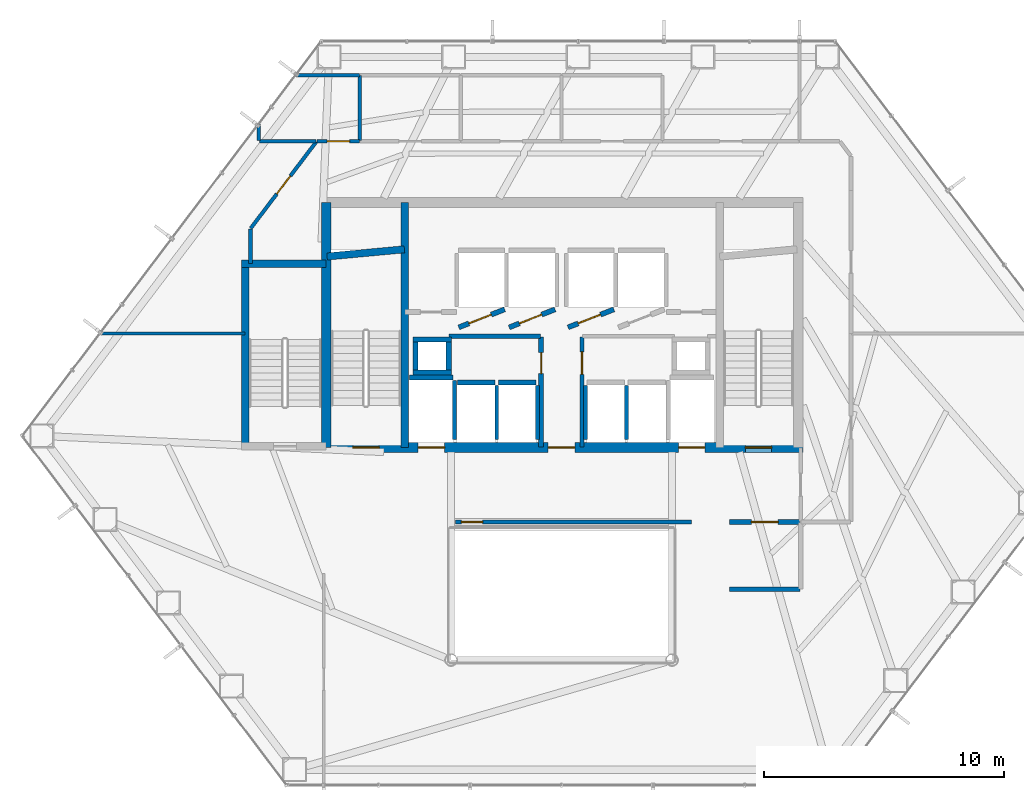
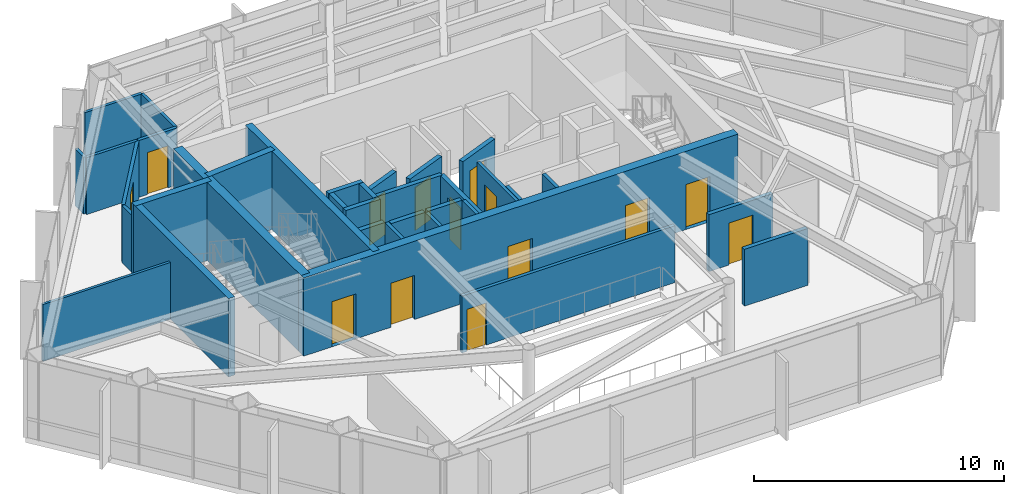
# One storey, part 23 of 26: 35 walls, 14 doors, 14 openings.
"""IFC4 building model written with IfcOpenShell, lengths in metres."""

from ifc_helpers import new_model, si_unit, direction, frame, frame_2d, origin, place, context, subcontext, project, spatial, rectangle, extrude, material, layer, layer_set, type_object, element, fill, save


model = new_model("IFC4")

# Units and contexts
model_context = context("Model", 3, precision=1e-05, world=origin(), true_north=direction((0.0, 1.0)))
body_context = subcontext(model_context, "Body", "Model", "MODEL_VIEW")
ifc_project = project(units=[si_unit("LENGTHUNIT", "METRE"), si_unit("AREAUNIT", "SQUARE_METRE"), si_unit("VOLUMEUNIT", "CUBIC_METRE"), si_unit("PLANEANGLEUNIT", "RADIAN"), si_unit("MASSUNIT", "GRAM", prefix="KILO")], contexts=[model_context])

# Site, building, storey
site_placement = place(None, origin())
site = spatial("IfcSite", under=ifc_project, at=site_placement, CompositionType="ELEMENT")
building_placement = place(site_placement, origin())
building = spatial("IfcBuilding", under=site, at=building_placement, Name="Zarrinselat Tower", CompositionType="ELEMENT")
storey_placement = place(building_placement, frame((0.0, 0.0, 31.6201171875)))
storey = spatial("IfcBuildingStorey", under=building, at=storey_placement, Name="L07", CompositionType="ELEMENT", Elevation=31.6201171875)

# Wall, opening, door
ifc_material_1 = material(Name="Concrete C40/50", Category="concrete")
ifc_layer_1 = layer(ifc_material_1, 0.18994140625)
ifc_layer_set_1 = layer_set([ifc_layer_1], Name="Concrete C40/50")
wall_type_1 = type_object("IfcWallType", Name="WAL-PART-EI120", PredefinedType="PARTITIONING", material=ifc_layer_set_1)
wall_1_placement = place(storey_placement, frame((45.385009765625, 30.14990234375, 0.0), z_axis=(0.0, 0.0, 1.0), x_axis=(1.0, 0.0, 0.0)))
wall_1 = element("IfcWall", 1, at=wall_1_placement, inside=storey, type_object=wall_type_1, Name="L07 Partition Wall 8", PredefinedType="PARTITIONING", context=body_context, shape_type="SweptSolid", body=[
    extrude(rectangle(XDim=2.945068359375, YDim=0.18994140625, at=frame_2d((1.47265625, 0.0))), origin(), (0.0, 0.0, 1.0), 2.77685546875),
])
opening_1_placement = place(wall_1_placement, frame((0.91259765625, 0.0, 0.0)))
opening_1 = element("IfcOpeningElement", 2, at=opening_1_placement, cuts=wall_1, Name="Opening ID-02", PredefinedType="OPENING", context=body_context, shape_type="SweptSolid", body=[
    extrude(rectangle(XDim=1.1201171875, YDim=2.050048828125, at=frame_2d((0.56005859375, 1.02490234375))), frame((0.0, 0.10498046875, 0.0), z_axis=(0.0, -1.0, 0.0), x_axis=(1.0, 0.0, 0.0)), (0.0, 0.0, 1.0), 0.2099609375),
])
ifc_material_2 = material(Name="Steel S355J2", Category="steel")
door_type_1 = type_object("IfcDoorType", Name="DR-INT-FD60-W", OperationType="NOTDEFINED", PredefinedType="DOOR", material=ifc_material_2)
door_1_placement = place(opening_1_placement, origin())
door_1 = element("IfcDoor", 3, at=door_1_placement, inside=storey, type_object=door_type_1, Name="L07 Interior Door P8", OperationType="SINGLE_SWING_LEFT", OverallHeight=2.050048828125, OverallWidth=1.1201171875, PredefinedType="DOOR", context=body_context, shape_type="SweptSolid", body=[
    extrude(rectangle(XDim=1.1201171875, YDim=2.050048828125, at=frame_2d((0.56005859375, 1.02490234375))), frame((0.0, 0.02490234375, 0.0), z_axis=(0.0, -1.0, 0.0), x_axis=(1.0, 0.0, 0.0)), (0.0, 0.0, 1.0), 0.050048828125),
])
fill(opening_1, door_1)

# Wall
wall_2_placement = place(storey_placement, frame((45.39990234375, 27.35009765625, 0.0), z_axis=(0.0, 0.0, 1.0), x_axis=(1.0, 0.0, 0.0)))
element("IfcWall", 4, at=wall_2_placement, inside=storey, type_object=wall_type_1, Name="L07 Partition Wall 11", PredefinedType="PARTITIONING", context=body_context, shape_type="SweptSolid", body=[
    extrude(rectangle(XDim=2.93017578125, YDim=0.18994140625, at=frame_2d((1.465087890625, 0.0))), origin(), (0.0, 0.0, 1.0), 2.77685546875),
])

# Wall, opening, door
ifc_material_3 = material(Name="Fire-Rated Gypsum Board Partition", Category="gypsum")
ifc_layer_2 = layer(ifc_material_3, 0.14990234375)
ifc_layer_set_2 = layer_set([ifc_layer_2], Name="Fire-Rated Gypsum Board Partition")
wall_type_2 = type_object("IfcWallType", Name="WAL-PART-EI60", PredefinedType="PARTITIONING", material=ifc_layer_set_2)
wall_3_placement = place(storey_placement, frame((39.25, 33.264892578125, 0.0), z_axis=(0.0, 0.0, 1.0), x_axis=(0.0, 1.0, 0.0)))
wall_3 = element("IfcWall", 5, at=wall_3_placement, inside=storey, type_object=wall_type_2, Name="L07 Partition Wall 7", PredefinedType="PARTITIONING", context=body_context, shape_type="SweptSolid", body=[
    extrude(rectangle(XDim=4.59521484375, YDim=0.14990234375, at=frame_2d((2.297607421875, 0.0))), origin(), (0.0, 0.0, 1.0), 2.77685546875),
])
opening_2_placement = place(wall_3_placement, frame((3.027587890625, 0.0, 0.0)))
opening_2 = element("IfcOpeningElement", 6, at=opening_2_placement, cuts=wall_3, Name="Opening ID-04", PredefinedType="OPENING", context=body_context, shape_type="SweptSolid", body=[
    extrude(rectangle(XDim=0.93994140625, YDim=2.050048828125, at=frame_2d((0.469970703125, 1.02490234375))), frame((0.0, 0.0849609375, 0.0), z_axis=(0.0, -1.0, 0.0), x_axis=(1.0, 0.0, 0.0)), (0.0, 0.0, 1.0), 0.169921875),
])
ifc_material_4 = material(Name="Fire-Rated Gypsum Board Partition")
door_type_2 = type_object("IfcDoorType", Name="DR-INT-FD30-ENT", OperationType="NOTDEFINED", PredefinedType="DOOR", material=ifc_material_4)
door_2_placement = place(opening_2_placement, origin())
door_2 = element("IfcDoor", 7, at=door_2_placement, inside=storey, type_object=door_type_2, Name="L07 Interior Door P7", OperationType="SINGLE_SWING_RIGHT", OverallHeight=2.050048828125, OverallWidth=0.93994140625, PredefinedType="DOOR", context=body_context, shape_type="SweptSolid", body=[
    extrude(rectangle(XDim=0.93994140625, YDim=2.050048828125, at=frame_2d((0.469970703125, 1.02490234375))), frame((0.0, 0.02490234375, 0.0), z_axis=(0.0, -1.0, 0.0), x_axis=(1.0, 0.0, 0.0)), (0.0, 0.0, 1.0), 0.050048828125),
])
fill(opening_2, door_2)

wall_4_placement = place(storey_placement, frame((33.985107421875, 30.14990234375, 0.0), z_axis=(0.0, 0.0, 1.0), x_axis=(1.0, 0.0, 0.0)))
wall_4 = element("IfcWall", 8, at=wall_4_placement, inside=storey, type_object=wall_type_2, Name="L07 Partition Wall 10", PredefinedType="PARTITIONING", context=body_context, shape_type="SweptSolid", body=[
    extrude(rectangle(XDim=9.829833984375, YDim=0.14990234375, at=frame_2d((4.9150390625, 0.0))), origin(), (0.0, 0.0, 1.0), 2.77685546875),
])
opening_3_placement = place(wall_4_placement, frame((0.25, 0.0, 0.0)))
opening_3 = element("IfcOpeningElement", 9, at=opening_3_placement, cuts=wall_4, Name="Opening ID-03", PredefinedType="OPENING", context=body_context, shape_type="SweptSolid", body=[
    extrude(rectangle(XDim=0.8798828125, YDim=2.050048828125, at=frame_2d((0.43994140625, 1.02490234375))), frame((0.0, 0.0849609375, 0.0), z_axis=(0.0, -1.0, 0.0), x_axis=(1.0, 0.0, 0.0)), (0.0, 0.0, 1.0), 0.169921875),
])
ifc_material_5 = material(Name="Steel S355J2", Category="steel")
door_type_3 = type_object("IfcDoorType", Name="DR-INT-FD60-S", OperationType="NOTDEFINED", PredefinedType="DOOR", material=ifc_material_5)
door_3_placement = place(opening_3_placement, origin())
door_3 = element("IfcDoor", 10, at=door_3_placement, inside=storey, type_object=door_type_3, Name="L07 Interior Door P10", OperationType="SINGLE_SWING_LEFT", OverallHeight=2.050048828125, OverallWidth=0.8798828125, PredefinedType="DOOR", context=body_context, shape_type="SweptSolid", body=[
    extrude(rectangle(XDim=0.8798828125, YDim=2.050048828125, at=frame_2d((0.43994140625, 1.02490234375))), frame((0.0, 0.02490234375, 0.0), z_axis=(0.0, -1.0, 0.0), x_axis=(1.0, 0.0, 0.0)), (0.0, 0.0, 1.0), 0.050048828125),
])
fill(opening_3, door_3)

wall_5_placement = place(storey_placement, frame((28.222900390625, 46.0, 0.0), z_axis=(0.0, 0.0, 1.0), x_axis=(1.0, 0.0, 0.0)))
wall_5 = element("IfcWall", 11, at=wall_5_placement, inside=storey, type_object=wall_type_2, Name="L07 Partition Wall 13", PredefinedType="PARTITIONING", context=body_context, shape_type="SweptSolid", body=[
    extrude(rectangle(XDim=1.772216796875, YDim=0.14990234375, at=frame_2d((0.88623046875, 0.0))), origin(), (0.0, 0.0, 1.0), 2.77685546875),
])
opening_4_placement = place(wall_5_placement, frame((0.416015625, 0.0, 0.0)))
opening_4 = element("IfcOpeningElement", 12, at=opening_4_placement, cuts=wall_5, Name="Opening ID-04", PredefinedType="OPENING", context=body_context, shape_type="SweptSolid", body=[
    extrude(rectangle(XDim=0.93994140625, YDim=2.050048828125, at=frame_2d((0.469970703125, 1.02490234375))), frame((0.0, 0.0849609375, 0.0), z_axis=(0.0, -1.0, 0.0), x_axis=(1.0, 0.0, 0.0)), (0.0, 0.0, 1.0), 0.169921875),
])
door_4_placement = place(opening_4_placement, origin())
door_4 = element("IfcDoor", 13, at=door_4_placement, inside=storey, type_object=door_type_2, Name="L07 Interior Door P13", OperationType="SINGLE_SWING_RIGHT", OverallHeight=2.050048828125, OverallWidth=0.93994140625, PredefinedType="DOOR", context=body_context, shape_type="SweptSolid", body=[
    extrude(rectangle(XDim=0.93994140625, YDim=2.050048828125, at=frame_2d((0.469970703125, 1.02490234375))), frame((0.0, 0.02490234375, 0.0), z_axis=(0.0, -1.0, 0.0), x_axis=(1.0, 0.0, 0.0)), (0.0, 0.0, 1.0), 0.050048828125),
])
fill(opening_4, door_4)

# Wall
wall_6_placement = place(storey_placement, frame((25.449951171875, 40.9150390625, 0.0), z_axis=(0.0, 0.0, 1.0), x_axis=(0.0, 1.0, 0.0)))
element("IfcWall", 14, at=wall_6_placement, inside=storey, type_object=wall_type_2, Name="L07 Partition Wall 19", PredefinedType="PARTITIONING", context=body_context, shape_type="SweptSolid", body=[
    extrude(rectangle(XDim=1.424560546875, YDim=0.14990234375, at=frame_2d((0.71240234375, 0.0))), origin(), (0.0, 0.0, 1.0), 2.77685546875),
])

# Wall, opening, door
wall_7_placement = place(storey_placement, frame((25.462158203125, 42.37548828125, 0.0), z_axis=(0.0, 0.0, 1.0), x_axis=(0.603832768772, 0.797111025741, 0.0)))
wall_7 = element("IfcWall", 15, at=wall_7_placement, inside=storey, type_object=wall_type_2, Name="L07 Partition Wall 20", PredefinedType="PARTITIONING", context=body_context, shape_type="SweptSolid", body=[
    extrude(rectangle(XDim=4.527099609375, YDim=0.14990234375, at=frame_2d((2.263671875, 0.0))), origin(), (0.0, 0.0, 1.0), 2.77685546875),
])
opening_5_placement = place(wall_7_placement, frame((1.79345703125, 0.0, 0.0)))
opening_5 = element("IfcOpeningElement", 16, at=opening_5_placement, cuts=wall_7, Name="Opening ID-04", PredefinedType="OPENING", context=body_context, shape_type="SweptSolid", body=[
    extrude(rectangle(XDim=0.93994140625, YDim=2.050048828125, at=frame_2d((0.469970703125, 1.02490234375))), frame((0.0, 0.0849609375, 0.0), z_axis=(0.0, -1.0, 0.0), x_axis=(1.0, 0.0, 0.0)), (0.0, 0.0, 1.0), 0.169921875),
])
door_5_placement = place(opening_5_placement, origin())
door_5 = element("IfcDoor", 17, at=door_5_placement, inside=storey, type_object=door_type_2, Name="L07 Interior Door P20", OperationType="SINGLE_SWING_LEFT", OverallHeight=2.050048828125, OverallWidth=0.93994140625, PredefinedType="DOOR", context=body_context, shape_type="SweptSolid", body=[
    extrude(rectangle(XDim=0.93994140625, YDim=2.050048828125, at=frame_2d((0.469970703125, 1.02490234375))), frame((0.0, 0.02490234375, 0.0), z_axis=(0.0, -1.0, 0.0), x_axis=(1.0, 0.0, 0.0)), (0.0, 0.0, 1.0), 0.050048828125),
])
fill(opening_5, door_5)

ifc_material_6 = material(Name="Concrete C40/50", Category="concrete")
ifc_layer_3 = layer(ifc_material_6, 0.199951171875)
ifc_layer_set_3 = layer_set([ifc_layer_3], Name="Concrete C40/50")
wall_type_3 = type_object("IfcWallType", Name="WAL-PART-PLANT", PredefinedType="PARTITIONING", material=ifc_layer_set_3)
wall_8_placement = place(storey_placement, frame((37.550048828125, 33.264892578125, 0.0), z_axis=(0.0, 0.0, 1.0), x_axis=(0.0, 1.0, 0.0)))
wall_8 = element("IfcWall", 18, at=wall_8_placement, inside=storey, type_object=wall_type_3, Name="L07 Partition Wall 1", PredefinedType="PARTITIONING", context=body_context, shape_type="SweptSolid", body=[
    extrude(rectangle(XDim=4.59521484375, YDim=0.199951171875, at=frame_2d((2.297607421875, 0.0))), origin(), (0.0, 0.0, 1.0), 2.77685546875),
])
opening_6_placement = place(wall_8_placement, frame((3.0576171875, 0.0, 0.0)))
opening_6 = element("IfcOpeningElement", 19, at=opening_6_placement, cuts=wall_8, Name="Opening ID-03", PredefinedType="OPENING", context=body_context, shape_type="SweptSolid", body=[
    extrude(rectangle(XDim=0.8798828125, YDim=2.050048828125, at=frame_2d((0.43994140625, 1.02490234375))), frame((0.0, 0.10986328125, 0.0), z_axis=(0.0, -1.0, 0.0), x_axis=(1.0, 0.0, 0.0)), (0.0, 0.0, 1.0), 0.219970703125),
])
door_6_placement = place(opening_6_placement, origin())
door_6 = element("IfcDoor", 20, at=door_6_placement, inside=storey, type_object=door_type_3, Name="L07 Interior Door P1", OperationType="SINGLE_SWING_LEFT", OverallHeight=2.050048828125, OverallWidth=0.8798828125, PredefinedType="DOOR", context=body_context, shape_type="SweptSolid", body=[
    extrude(rectangle(XDim=0.8798828125, YDim=2.050048828125, at=frame_2d((0.43994140625, 1.02490234375))), frame((0.0, 0.02490234375, 0.0), z_axis=(0.0, -1.0, 0.0), x_axis=(1.0, 0.0, 0.0)), (0.0, 0.0, 1.0), 0.050048828125),
])
fill(opening_6, door_6)

# Walls
wall_9_placement = place(storey_placement, frame((33.705078125, 37.8798828125, 0.0), z_axis=(0.0, 0.0, 1.0), x_axis=(1.0, 0.0, 0.0)))
element("IfcWall", 21, at=wall_9_placement, inside=storey, type_object=wall_type_3, Name="L07 Partition Wall 2", PredefinedType="PARTITIONING", context=body_context, shape_type="SweptSolid", body=[
    extrude(rectangle(XDim=3.824951171875, YDim=0.199951171875, at=frame_2d((1.91259765625, 0.0))), origin(), (0.0, 0.0, 1.0), 2.77685546875),
])
ifc_material_7 = material(Name="Fire-Rated Gypsum Board Partition", Category="gypsum")
ifc_layer_4 = layer(ifc_material_7, 0.1201171875)
ifc_layer_set_4 = layer_set([ifc_layer_4], Name="Fire-Rated Gypsum Board Partition")
wall_type_4 = type_object("IfcWallType", Name="WAL-PART-STD", PredefinedType="PARTITIONING", material=ifc_layer_set_4)
wall_10_placement = place(storey_placement, frame((19.201416015625, 38.0, 0.0), z_axis=(0.0, 0.0, 1.0), x_axis=(1.0, 0.0, 0.0)))
element("IfcWall", 22, at=wall_10_placement, inside=storey, type_object=wall_type_4, Name="L07 Partition Wall 37", PredefinedType="PARTITIONING", context=body_context, shape_type="SweptSolid", body=[
    extrude(rectangle(XDim=6.013671875, YDim=0.1201171875, at=frame_2d((3.0068359375, 0.0))), origin(), (0.0, 0.0, 1.0), 2.77685546875),
])
ifc_material_8 = material(Name="Fire-Rated Gypsum Board Partition", Category="gypsum")
ifc_layer_5 = layer(ifc_material_8, 0.135009765625)
ifc_layer_set_5 = layer_set([ifc_layer_5], Name="Fire-Rated Gypsum Board Partition")
wall_type_5 = type_object("IfcWallType", Name="WAL-PART-WET", PredefinedType="PARTITIONING", material=ifc_layer_set_5)
wall_11_placement = place(storey_placement, frame((30.0, 46.02001953125, 0.0), z_axis=(0.0, 0.0, 1.0), x_axis=(0.0, 1.0, 0.0)))
element("IfcWall", 23, at=wall_11_placement, inside=storey, type_object=wall_type_5, Name="L07 Partition Wall 26", PredefinedType="PARTITIONING", context=body_context, shape_type="SweptSolid", body=[
    extrude(rectangle(XDim=2.7099609375, YDim=0.135009765625, at=frame_2d((1.35498046875, 0.0))), origin(), (0.0, 0.0, 1.0), 2.77685546875),
])
wall_12_placement = place(storey_placement, frame((25.820068359375, 46.0, 0.0), z_axis=(0.0, 0.0, 1.0), x_axis=(1.0, 0.0, 0.0)))
element("IfcWall", 24, at=wall_12_placement, inside=storey, type_object=wall_type_5, Name="L07 Partition Wall 27", PredefinedType="PARTITIONING", context=body_context, shape_type="SweptSolid", body=[
    extrude(rectangle(XDim=2.36767578125, YDim=0.135009765625, at=frame_2d((1.183837890625, 0.0))), origin(), (0.0, 0.0, 1.0), 2.77685546875),
])
wall_13_placement = place(storey_placement, frame((25.800048828125, 46.02001953125, 0.0), z_axis=(0.0, 0.0, 1.0), x_axis=(0.0, 1.0, 0.0)))
element("IfcWall", 25, at=wall_13_placement, inside=storey, type_object=wall_type_5, Name="L07 Partition Wall 28", PredefinedType="PARTITIONING", context=body_context, shape_type="SweptSolid", body=[
    extrude(rectangle(XDim=0.69482421875, YDim=0.135009765625, at=frame_2d((0.347412109375, 0.0))), origin(), (0.0, 0.0, 1.0), 2.77685546875),
])
wall_14_placement = place(storey_placement, frame((27.345458984375, 48.75, 0.0), z_axis=(0.0, 0.0, 1.0), x_axis=(1.0, 0.0, 0.0)))
element("IfcWall", 26, at=wall_14_placement, inside=storey, type_object=wall_type_5, Name="L07 Partition Wall 29", PredefinedType="PARTITIONING", context=body_context, shape_type="SweptSolid", body=[
    extrude(rectangle(XDim=2.634521484375, YDim=0.135009765625, at=frame_2d((1.3173828125, 0.0))), origin(), (0.0, 0.0, 1.0), 2.77685546875),
])
ifc_material_9 = material(Name="Concrete C40/50", Category="concrete")
ifc_layer_6 = layer(ifc_material_9, 0.2099609375)
ifc_layer_set_6 = layer_set([ifc_layer_6], Name="Concrete C40/50")
wall_type_6 = type_object("IfcWallType", Name="WAL-SHAFT-210", PredefinedType="SOLIDWALL", material=ifc_layer_set_6)
wall_15_placement = place(storey_placement, frame((32.080078125, 36.155029296875, 0.0), z_axis=(0.0, 0.0, 1.0), x_axis=(1.0, 0.0, 0.0)))
element("IfcWall", 27, at=wall_15_placement, inside=storey, type_object=wall_type_6, Name="L07 Lift FFL1 North Shaft Wall", PredefinedType="SOLIDWALL", context=body_context, shape_type="SweptSolid", body=[
    extrude(rectangle(XDim=1.7998046875, YDim=0.2099609375, at=frame_2d((0.89990234375, 0.0))), origin(), (0.0, 0.0, 1.0), 2.7919921875),
])
wall_16_placement = place(storey_placement, frame((33.949951171875, 33.580078125, 0.0), z_axis=(0.0, 0.0, 1.0), x_axis=(0.0, 1.0, 0.0)))
element("IfcWall", 28, at=wall_16_placement, inside=storey, type_object=wall_type_6, Name="L07 Lift FFL1 E Shaft Wall", PredefinedType="SOLIDWALL", context=body_context, shape_type="SweptSolid", body=[
    extrude(rectangle(XDim=2.449951171875, YDim=0.159912109375, at=frame_2d((1.22509765625, 0.0))), origin(), (0.0, 0.0, 1.0), 2.7919921875),
])

# Wall, opening, door
wall_17_placement = place(storey_placement, frame((34.1201171875, 38.25, 0.0), z_axis=(0.0, 0.0, 1.0), x_axis=(0.930804993012, 0.36551616241, 0.0)))
wall_17 = element("IfcWall", 29, at=wall_17_placement, inside=storey, type_object=wall_type_6, Name="L07 Lift PL1 Front Shaft Wall", PredefinedType="SOLIDWALL", context=body_context, shape_type="SweptSolid", body=[
    extrude(rectangle(XDim=2.052001953125, YDim=0.2099609375, at=frame_2d((1.02587890625, 0.0))), origin(), (0.0, 0.0, 1.0), 2.7919921875),
])
opening_7_placement = place(wall_17_placement, frame((0.455078125, 0.0, 0.0)))
opening_7 = element("IfcOpeningElement", 30, at=opening_7_placement, cuts=wall_17, Name="Opening LD-PL1", PredefinedType="OPENING", context=body_context, shape_type="SweptSolid", body=[
    extrude(rectangle(XDim=1.0, YDim=2.10009765625, at=frame_2d((0.5, 1.050048828125))), frame((0.0, 0.114990234375, 0.0), z_axis=(0.0, -1.0, 0.0), x_axis=(1.0, 0.0, 0.0)), (0.0, 0.0, 1.0), 0.22998046875),
])
ifc_material_10 = material(Name="Steel S355J2", Category="steel")
door_type_4 = type_object("IfcDoorType", Name="DR-LIFT-PS-1000", OperationType="NOTDEFINED", PredefinedType="DOOR", material=ifc_material_10)
door_7_placement = place(opening_7_placement, origin())
door_7 = element("IfcDoor", 31, at=door_7_placement, inside=storey, type_object=door_type_4, Name="L07 Lift PL1 Sliding Landing Door", OperationType="SLIDING_TO_LEFT", OverallHeight=2.10009765625, OverallWidth=1.0, PredefinedType="DOOR", context=body_context, shape_type="SweptSolid", body=[
    extrude(rectangle(XDim=1.0, YDim=2.10009765625, at=frame_2d((0.5, 1.050048828125))), frame((0.0, 0.02490234375, 0.0), z_axis=(0.0, -1.0, 0.0), x_axis=(1.0, 0.0, 0.0)), (0.0, 0.0, 1.0), 0.050048828125),
])
fill(opening_7, door_7)

wall_18_placement = place(storey_placement, frame((36.219970703125, 38.25, 0.0), z_axis=(0.0, 0.0, 1.0), x_axis=(0.930804993012, 0.36551616241, 0.0)))
wall_18 = element("IfcWall", 32, at=wall_18_placement, inside=storey, type_object=wall_type_6, Name="L07 Lift PL2 Front Shaft Wall", PredefinedType="SOLIDWALL", context=body_context, shape_type="SweptSolid", body=[
    extrude(rectangle(XDim=2.052001953125, YDim=0.2099609375, at=frame_2d((1.02587890625, 0.0))), origin(), (0.0, 0.0, 1.0), 2.7919921875),
])
opening_8_placement = place(wall_18_placement, frame((0.455078125, 0.0, 0.0)))
opening_8 = element("IfcOpeningElement", 33, at=opening_8_placement, cuts=wall_18, Name="Opening LD-PL2", PredefinedType="OPENING", context=body_context, shape_type="SweptSolid", body=[
    extrude(rectangle(XDim=1.0, YDim=2.10009765625, at=frame_2d((0.5, 1.050048828125))), frame((0.0, 0.114990234375, 0.0), z_axis=(0.0, -1.0, 0.0), x_axis=(1.0, 0.0, 0.0)), (0.0, 0.0, 1.0), 0.22998046875),
])
door_8_placement = place(opening_8_placement, origin())
door_8 = element("IfcDoor", 34, at=door_8_placement, inside=storey, type_object=door_type_4, Name="L07 Lift PL2 Sliding Landing Door", OperationType="SLIDING_TO_RIGHT", OverallHeight=2.10009765625, OverallWidth=1.0, PredefinedType="DOOR", context=body_context, shape_type="SweptSolid", body=[
    extrude(rectangle(XDim=1.0, YDim=2.10009765625, at=frame_2d((0.5, 1.050048828125))), frame((0.0, 0.02490234375, 0.0), z_axis=(0.0, -1.0, 0.0), x_axis=(1.0, 0.0, 0.0)), (0.0, 0.0, 1.0), 0.050048828125),
])
fill(opening_8, door_8)

wall_19_placement = place(storey_placement, frame((38.669921875, 38.25, 0.0), z_axis=(0.0, 0.0, 1.0), x_axis=(0.930820886763, 0.3654756856, 0.0)))
wall_19 = element("IfcWall", 35, at=wall_19_placement, inside=storey, type_object=wall_type_6, Name="L07 Lift PL3 Front Shaft Wall", PredefinedType="SOLIDWALL", context=body_context, shape_type="SweptSolid", body=[
    extrude(rectangle(XDim=2.052001953125, YDim=0.2099609375, at=frame_2d((1.02587890625, 0.0))), origin(), (0.0, 0.0, 1.0), 2.7919921875),
])
opening_9_placement = place(wall_19_placement, frame((0.455078125, 0.0, 0.0)))
opening_9 = element("IfcOpeningElement", 36, at=opening_9_placement, cuts=wall_19, Name="Opening LD-PL3", PredefinedType="OPENING", context=body_context, shape_type="SweptSolid", body=[
    extrude(rectangle(XDim=1.0, YDim=2.10009765625, at=frame_2d((0.5, 1.050048828125))), frame((0.0, 0.114990234375, 0.0), z_axis=(0.0, -1.0, 0.0), x_axis=(1.0, 0.0, 0.0)), (0.0, 0.0, 1.0), 0.22998046875),
])
door_9_placement = place(opening_9_placement, origin())
door_9 = element("IfcDoor", 37, at=door_9_placement, inside=storey, type_object=door_type_4, Name="L07 Lift PL3 Sliding Landing Door", OperationType="SLIDING_TO_LEFT", OverallHeight=2.10009765625, OverallWidth=1.0, PredefinedType="DOOR", context=body_context, shape_type="SweptSolid", body=[
    extrude(rectangle(XDim=1.0, YDim=2.10009765625, at=frame_2d((0.5, 1.050048828125))), frame((0.0, 0.02490234375, 0.0), z_axis=(0.0, -1.0, 0.0), x_axis=(1.0, 0.0, 0.0)), (0.0, 0.0, 1.0), 0.050048828125),
])
fill(opening_9, door_9)

# Walls
wall_20_placement = place(storey_placement, frame((34.070068359375, 35.955078125, 0.0), z_axis=(0.0, 0.0, 1.0), x_axis=(1.0, 0.0, 0.0)))
element("IfcWall", 38, at=wall_20_placement, inside=storey, type_object=wall_type_6, Name="L07 Lift PL5 North Shaft Wall", PredefinedType="SOLIDWALL", context=body_context, shape_type="SweptSolid", body=[
    extrude(rectangle(XDim=1.559814453125, YDim=0.2099609375, at=frame_2d((0.77978515625, 0.0))), origin(), (0.0, 0.0, 1.0), 2.7919921875),
])
wall_21_placement = place(storey_placement, frame((35.699951171875, 33.580078125, 0.0), z_axis=(0.0, 0.0, 1.0), x_axis=(0.0, 1.0, 0.0)))
element("IfcWall", 39, at=wall_21_placement, inside=storey, type_object=wall_type_6, Name="L07 Lift PL5 E Shaft Wall", PredefinedType="SOLIDWALL", context=body_context, shape_type="SweptSolid", body=[
    extrude(rectangle(XDim=2.25, YDim=0.159912109375, at=frame_2d((1.125, 0.0))), origin(), (0.0, 0.0, 1.0), 2.7919921875),
])
wall_22_placement = place(storey_placement, frame((35.77001953125, 35.955078125, 0.0), z_axis=(0.0, 0.0, 1.0), x_axis=(1.0, 0.0, 0.0)))
element("IfcWall", 40, at=wall_22_placement, inside=storey, type_object=wall_type_6, Name="L07 Lift PL6 North Shaft Wall", PredefinedType="SOLIDWALL", context=body_context, shape_type="SweptSolid", body=[
    extrude(rectangle(XDim=1.56005859375, YDim=0.2099609375, at=frame_2d((0.780029296875, 0.0))), origin(), (0.0, 0.0, 1.0), 2.7919921875),
])
for number, where, z_axis, x_axis, name in (
    (41, (37.39990234375, 33.580078125, 0.0), (0.0, 0.0, 1.0), (0.0, 1.0, 0.0), "L07 Lift PL6 E Shaft Wall"),
    (42, (39.39990234375, 33.580078125, 0.0), (0.0, 0.0, 1.0), (0.0, 1.0, 0.0), "L07 Lift PL8 W Shaft Wall"),
    (43, (41.10009765625, 33.580078125, 0.0), (0.0, 0.0, 1.0), (0.0, 1.0, 0.0), "L07 Lift PL8 E Shaft Wall"),
):
    element("IfcWall", number, at=place(storey_placement, frame(where, z_axis=z_axis, x_axis=x_axis)), inside=storey, type_object=wall_type_6, Name=name, PredefinedType="SOLIDWALL", context=body_context, shape_type="SweptSolid", body=[
        extrude(rectangle(XDim=2.25, YDim=0.159912109375, at=frame_2d((1.125, 0.0))), origin(), (0.0, 0.0, 1.0), 2.7919921875),
    ])
for number, where, z_axis, x_axis, name in (
    (44, (32.2099609375, 36.375, 0.0), (0.0, 0.0, 1.0), (1.0, 0.0, 0.0), "L07 Core Riser RSR-W S Shaft Wall"),
    (45, (32.2099609375, 37.7451171875, 0.0), (0.0, 0.0, 1.0), (1.0, 0.0, 0.0), "L07 Core Riser RSR-W N Shaft Wall"),
):
    element("IfcWall", number, at=place(storey_placement, frame(where, z_axis=z_axis, x_axis=x_axis)), inside=storey, type_object=wall_type_6, Name=name, PredefinedType="SOLIDWALL", context=body_context, shape_type="SweptSolid", body=[
        extrude(rectangle(XDim=1.60009765625, YDim=0.2099609375, at=frame_2d((0.800048828125, 0.0))), origin(), (0.0, 0.0, 1.0), 3.81982421875),
    ])
for number, where, z_axis, x_axis, name in (
    (46, (32.31494140625, 36.485107421875, 0.0), (0.0, 0.0, 1.0), (0.0, 1.0, 0.0), "L07 Core Riser RSR-W W Shaft Wall"),
    (47, (33.705078125, 36.485107421875, 0.0), (0.0, 0.0, 1.0), (0.0, 1.0, 0.0), "L07 Core Riser RSR-W E Shaft Wall"),
):
    element("IfcWall", number, at=place(storey_placement, frame(where, z_axis=z_axis, x_axis=x_axis)), inside=storey, type_object=wall_type_6, Name=name, PredefinedType="SOLIDWALL", context=body_context, shape_type="SweptSolid", body=[
        extrude(rectangle(XDim=1.14990234375, YDim=0.2099609375, at=frame_2d((0.574951171875, 0.0))), origin(), (0.0, 0.0, 1.0), 3.81982421875),
    ])
ifc_material_11 = material(Name="Concrete C40/50", Category="concrete")
ifc_layer_7 = layer(ifc_material_11, 0.300048828125)
ifc_layer_set_7 = layer_set([ifc_layer_7], Name="Concrete C40/50")
wall_type_7 = type_object("IfcWallType", Name="WAL-SHEAR-300", PredefinedType="SHEAR", material=ifc_layer_set_7)
wall_23_placement = place(storey_placement, frame((31.8701171875, 33.25, 0.0), z_axis=(0.0, 0.0, 1.0), x_axis=(0.0, 1.0, 0.0)))
element("IfcWall", 48, at=wall_23_placement, inside=storey, type_object=wall_type_7, Name="L07 Core Shear Wall ST1E", PredefinedType="SHEAR", context=body_context, shape_type="SweptSolid", body=[
    extrude(rectangle(XDim=10.199951171875, YDim=0.300048828125, at=frame_2d((5.10009765625, 0.0))), origin(), (0.0, 0.0, 1.0), 3.81982421875),
])
wall_24_placement = place(storey_placement, frame((28.639892578125, 41.199951171875, 0.0), z_axis=(0.0, 0.0, 1.0), x_axis=(0.995687118776, 0.092774789157, 0.0)))
element("IfcWall", 49, at=wall_24_placement, inside=storey, type_object=wall_type_7, Name="L07 Stair 1 North Shaft Wall", PredefinedType="SHEAR", context=body_context, shape_type="SweptSolid", body=[
    extrude(rectangle(XDim=3.234130859375, YDim=0.300048828125, at=frame_2d((1.6171875, 0.0))), origin(), (0.0, 0.0, 1.0), 3.81982421875),
])
wall_25_placement = place(storey_placement, frame((25.080078125, 40.89990234375, 0.0), z_axis=(0.0, 0.0, 1.0), x_axis=(1.0, 0.0, 0.0)))
element("IfcWall", 50, at=wall_25_placement, inside=storey, type_object=wall_type_7, Name="L07 Stair 3 North Shear Wall", PredefinedType="SHEAR", context=body_context, shape_type="SweptSolid", body=[
    extrude(rectangle(XDim=3.52001953125, YDim=0.300048828125, at=frame_2d((1.760009765625, 0.0))), origin(), (0.0, 0.0, 1.0), 3.81982421875),
])
wall_26_placement = place(storey_placement, frame((25.22998046875, 33.300048828125, 0.0), z_axis=(0.0, 0.0, 1.0), x_axis=(0.0, 1.0, 0.0)))
element("IfcWall", 51, at=wall_26_placement, inside=storey, type_object=wall_type_7, Name="L07 Stair 3 West Shear Wall", PredefinedType="SHEAR", context=body_context, shape_type="SweptSolid", body=[
    extrude(rectangle(XDim=7.599853515625, YDim=0.300048828125, at=frame_2d((3.7998046875, 0.0))), origin(), (0.0, 0.0, 1.0), 3.81982421875),
])

# Wall, openings, doors
ifc_material_12 = material(Name="Concrete C60/75", Category="concrete")
ifc_layer_8 = layer(ifc_material_12, 0.39990234375)
ifc_layer_set_8 = layer_set([ifc_layer_8], Name="Concrete C60/75")
wall_type_8 = type_object("IfcWallType", Name="WAL-SHEAR-400", PredefinedType="SHEAR", material=ifc_layer_set_8)
wall_27_placement = place(storey_placement, frame((28.39990234375, 33.25, 0.0), z_axis=(0.0, 0.0, 1.0), x_axis=(1.0, 0.0, 0.0)))
wall_27 = element("IfcWall", 52, at=wall_27_placement, inside=storey, type_object=wall_type_8, Name="L07 South Core Shear Wall", PredefinedType="SHEAR", context=body_context, shape_type="SweptSolid", body=[
    extrude(rectangle(XDim=20.06005859375, YDim=0.39990234375, at=frame_2d((10.030029296875, 0.0))), origin(), (0.0, 0.0, 1.0), 3.81982421875),
])
opening_10_placement = place(wall_27_placement, frame((4.030029296875, 0.0, 0.0)))
opening_10 = element("IfcOpeningElement", 53, at=opening_10_placement, cuts=wall_27, Name="Opening LD-FFL1", PredefinedType="OPENING", context=body_context, shape_type="SweptSolid", body=[
    extrude(rectangle(XDim=1.10009765625, YDim=2.14990234375, at=frame_2d((0.550048828125, 1.074951171875))), frame((0.0, 0.2099609375, 0.0), z_axis=(0.0, -1.0, 0.0), x_axis=(1.0, 0.0, 0.0)), (0.0, 0.0, 1.0), 0.419921875),
])
opening_11_placement = place(wall_27_placement, frame((14.8701171875, 0.0, 0.0)))
opening_11 = element("IfcOpeningElement", 54, at=opening_11_placement, cuts=wall_27, Name="Opening LD-FFL2", PredefinedType="OPENING", context=body_context, shape_type="SweptSolid", body=[
    extrude(rectangle(XDim=1.10009765625, YDim=2.14990234375, at=frame_2d((0.550048828125, 1.074951171875))), frame((0.0, 0.2099609375, 0.0), z_axis=(0.0, -1.0, 0.0), x_axis=(1.0, 0.0, 0.0)), (0.0, 0.0, 1.0), 0.419921875),
])
opening_12_placement = place(wall_27_placement, frame((1.31005859375, 0.0, 0.0)))
opening_12 = element("IfcOpeningElement", 55, at=opening_12_placement, cuts=wall_27, Name="Opening SD-01", PredefinedType="OPENING", context=body_context, shape_type="SweptSolid", body=[
    extrude(rectangle(XDim=1.10009765625, YDim=2.199951171875, at=frame_2d((0.550048828125, 1.10009765625))), frame((0.0, 0.2099609375, 0.0), z_axis=(0.0, -1.0, 0.0), x_axis=(1.0, 0.0, 0.0)), (0.0, 0.0, 1.0), 0.419921875),
])
opening_13_placement = place(wall_27_placement, frame((9.43994140625, 0.0, 0.0)))
opening_13 = element("IfcOpeningElement", 56, at=opening_13_placement, cuts=wall_27, Name="Opening ID-02", PredefinedType="OPENING", context=body_context, shape_type="SweptSolid", body=[
    extrude(rectangle(XDim=1.1201171875, YDim=2.050048828125, at=frame_2d((0.56005859375, 1.02490234375))), frame((0.0, 0.2099609375, 0.0), z_axis=(0.0, -1.0, 0.0), x_axis=(1.0, 0.0, 0.0)), (0.0, 0.0, 1.0), 0.419921875),
])
opening_14_placement = place(wall_27_placement, frame((17.64990234375, 0.0, 0.0)))
opening_14 = element("IfcOpeningElement", 57, at=opening_14_placement, cuts=wall_27, Name="Opening SD-01", PredefinedType="OPENING", context=body_context, shape_type="SweptSolid", body=[
    extrude(rectangle(XDim=1.10009765625, YDim=2.199951171875, at=frame_2d((0.550048828125, 1.10009765625))), frame((0.0, 0.2099609375, 0.0), z_axis=(0.0, -1.0, 0.0), x_axis=(1.0, 0.0, 0.0)), (0.0, 0.0, 1.0), 0.419921875),
])
door_10_placement = place(opening_13_placement, origin())
door_10 = element("IfcDoor", 58, at=door_10_placement, inside=storey, type_object=door_type_1, Name="L07 Core Service Vestibule Fire Door", OperationType="SINGLE_SWING_LEFT", OverallHeight=2.050048828125, OverallWidth=1.1201171875, PredefinedType="DOOR", context=body_context, shape_type="SweptSolid", body=[
    extrude(rectangle(XDim=1.1201171875, YDim=2.050048828125, at=frame_2d((0.56005859375, 1.02490234375))), frame((0.0, 0.02490234375, 0.0), z_axis=(0.0, -1.0, 0.0), x_axis=(1.0, 0.0, 0.0)), (0.0, 0.0, 1.0), 0.050048828125),
])
fill(opening_13, door_10)
ifc_material_13 = material(Name="Steel S355J2", Category="steel")
door_type_5 = type_object("IfcDoorType", Name="DR-LIFT-FF-1100", OperationType="NOTDEFINED", PredefinedType="DOOR", material=ifc_material_13)
door_11_placement = place(opening_10_placement, origin())
door_11 = element("IfcDoor", 59, at=door_11_placement, inside=storey, type_object=door_type_5, Name="L07 Lift FFL1 Sliding Landing Door", OperationType="SLIDING_TO_LEFT", OverallHeight=2.14990234375, OverallWidth=1.10009765625, PredefinedType="DOOR", context=body_context, shape_type="SweptSolid", body=[
    extrude(rectangle(XDim=1.10009765625, YDim=2.14990234375, at=frame_2d((0.550048828125, 1.074951171875))), frame((0.0, 0.02490234375, 0.0), z_axis=(0.0, -1.0, 0.0), x_axis=(1.0, 0.0, 0.0)), (0.0, 0.0, 1.0), 0.050048828125),
])
fill(opening_10, door_11)
door_12_placement = place(opening_11_placement, origin())
door_12 = element("IfcDoor", 60, at=door_12_placement, inside=storey, type_object=door_type_5, Name="L07 Lift FFL2 Sliding Landing Door", OperationType="SLIDING_TO_RIGHT", OverallHeight=2.14990234375, OverallWidth=1.10009765625, PredefinedType="DOOR", context=body_context, shape_type="SweptSolid", body=[
    extrude(rectangle(XDim=1.10009765625, YDim=2.14990234375, at=frame_2d((0.550048828125, 1.074951171875))), frame((0.0, 0.02490234375, 0.0), z_axis=(0.0, -1.0, 0.0), x_axis=(1.0, 0.0, 0.0)), (0.0, 0.0, 1.0), 0.050048828125),
])
fill(opening_11, door_12)
ifc_material_14 = material(Name="Steel S355J2", Category="steel")
door_type_6 = type_object("IfcDoorType", Name="DR-STAIR-1100", OperationType="NOTDEFINED", PredefinedType="DOOR", material=ifc_material_14)
door_13_placement = place(opening_12_placement, origin())
door_13 = element("IfcDoor", 61, at=door_13_placement, inside=storey, type_object=door_type_6, Name="L07 Exit Stair 1 Fire Door", OperationType="SINGLE_SWING_LEFT", OverallHeight=2.199951171875, OverallWidth=1.10009765625, PredefinedType="DOOR", context=body_context, shape_type="SweptSolid", body=[
    extrude(rectangle(XDim=1.10009765625, YDim=2.199951171875, at=frame_2d((0.550048828125, 1.10009765625))), frame((0.0, 0.02490234375, 0.0), z_axis=(0.0, -1.0, 0.0), x_axis=(1.0, 0.0, 0.0)), (0.0, 0.0, 1.0), 0.050048828125),
])
fill(opening_12, door_13)
door_14_placement = place(opening_14_placement, origin())
door_14 = element("IfcDoor", 62, at=door_14_placement, inside=storey, type_object=door_type_6, Name="L07 Exit Stair 2 Fire Door", OperationType="SINGLE_SWING_RIGHT", OverallHeight=2.199951171875, OverallWidth=1.10009765625, PredefinedType="DOOR", context=body_context, shape_type="SweptSolid", body=[
    extrude(rectangle(XDim=1.10009765625, YDim=2.199951171875, at=frame_2d((0.550048828125, 1.10009765625))), frame((0.0, 0.02490234375, 0.0), z_axis=(0.0, -1.0, 0.0), x_axis=(1.0, 0.0, 0.0)), (0.0, 0.0, 1.0), 0.050048828125),
])
fill(opening_14, door_14)

# Wall
wall_28_placement = place(storey_placement, frame((28.60009765625, 33.25, 0.0), z_axis=(0.0, 0.0, 1.0), x_axis=(0.0, 1.0, 0.0)))
element("IfcWall", 63, at=wall_28_placement, inside=storey, type_object=wall_type_8, Name="L07 Core Shear Wall W", PredefinedType="SHEAR", context=body_context, shape_type="SweptSolid", body=[
    extrude(rectangle(XDim=10.199951171875, YDim=0.39990234375, at=frame_2d((5.10009765625, 0.0))), origin(), (0.0, 0.0, 1.0), 3.81982421875),
])

save(model, "model.ifc")
